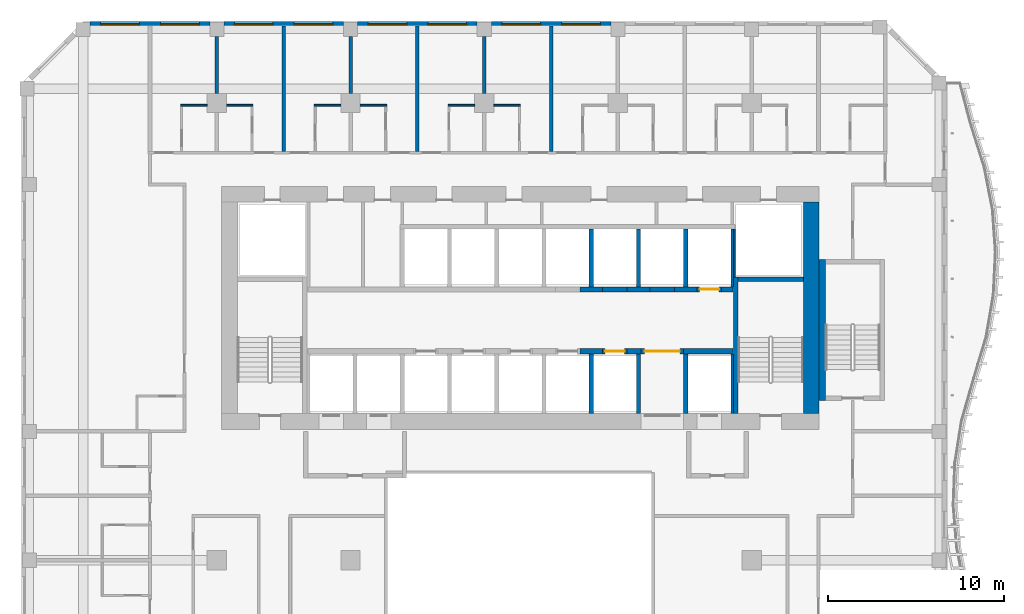
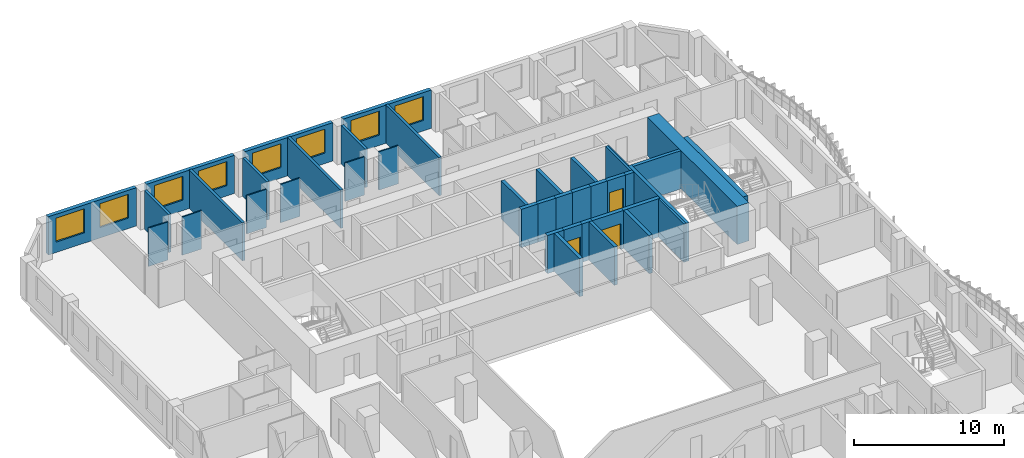
# One storey, part 9 of 22: 41 walls, 8 windows, 3 doors, 11 openings.
"""IFC4 building model written with IfcOpenShell, lengths in metres."""

from ifc_helpers import new_model, si_unit, direction, frame, frame_2d, origin, place, context, subcontext, project, spatial, rectangle, extrude, source, transform, mapped, material, layer, layer_set, type_object, element, fill, save


model = new_model("IFC4")

# Units and contexts
model_context = context("Model", 3, precision=1e-05, world=origin(), true_north=direction((0.0, 1.0)))
body_context = subcontext(model_context, "Body", "Model", "MODEL_VIEW")
ifc_project = project(units=[si_unit("LENGTHUNIT", "METRE"), si_unit("AREAUNIT", "SQUARE_METRE"), si_unit("VOLUMEUNIT", "CUBIC_METRE"), si_unit("PLANEANGLEUNIT", "RADIAN"), si_unit("MASSUNIT", "GRAM", prefix="KILO")], contexts=[model_context])

# Site, building, storey
site_placement = place(None, origin())
site = spatial("IfcSite", under=ifc_project, at=site_placement, CompositionType="ELEMENT")
building_placement = place(site_placement, origin())
building = spatial("IfcBuilding", under=site, at=building_placement, Name="Kilnfold Tower and Market Hall", CompositionType="ELEMENT")
storey_placement = place(building_placement, frame((0.0, 0.0, 143.89990234375)))
storey = spatial("IfcBuildingStorey", under=building, at=storey_placement, Name="L32", CompositionType="ELEMENT", Elevation=143.89990234375)

# Walls
ifc_material_1 = material(Name="Gypsum board on steel studs", Category="steel")
ifc_layer_1 = layer(ifc_material_1, 0.10009765625)
ifc_layer_set_1 = layer_set([ifc_layer_1], Name="Gypsum board on steel studs")
wall_type_1 = type_object("IfcWallType", Name="WALL PARTITION 100", PredefinedType="PARTITIONING", material=ifc_layer_set_1)
for number, where, z_axis, x_axis, name in (
    (1, (-18.217041015625, 26.501953125, 0.0), (0.0, 0.0, 1.0), (1.0, 0.0, 0.0), "Partition LY21.83"),
    (2, (-15.616943359375, 26.501953125, 0.0), (0.0, 0.0, 1.0), (1.0, 0.0, 0.0), "Partition LY21.87"),
    (3, (-10.633056640625, 26.501953125, 0.0), (0.0, 0.0, 1.0), (1.0, 0.0, 0.0), "Partition LY21.90"),
    (4, (-8.032958984375, 26.501953125, 0.0), (0.0, 0.0, 1.0), (1.0, 0.0, 0.0), "Partition LY21.94"),
    (5, (-3.050048828125, 26.501953125, 0.0), (0.0, 0.0, 1.0), (1.0, 0.0, 0.0), "Partition LY21.97"),
    (6, (-0.449951171875, 26.501953125, 0.0), (0.0, 0.0, 1.0), (1.0, 0.0, 0.0), "Partition LY21.101"),
):
    element("IfcWall", number, at=place(storey_placement, frame(where, z_axis=z_axis, x_axis=x_axis)), inside=storey, type_object=wall_type_1, Name=name, PredefinedType="PARTITIONING", context=body_context, shape_type="SweptSolid", body=[
        extrude(rectangle(XDim=1.5, YDim=0.10009765625, at=frame_2d((0.75, 0.0))), origin(), (0.0, 0.0, 1.0), 3.1201171875),
    ])
ifc_material_2 = material(Name="Gypsum board on steel studs", Category="steel")
ifc_layer_2 = layer(ifc_material_2, 0.199951171875)
ifc_layer_set_2 = layer_set([ifc_layer_2], Name="Gypsum board on steel studs")
wall_type_2 = type_object("IfcWallType", Name="WALL PARTY 200", PredefinedType="PARTITIONING", material=ifc_layer_set_2)
wall_1_placement = place(storey_placement, frame((-16.1669921875, 27.175048828125, 0.0), z_axis=(0.0, 0.0, 1.0), x_axis=(0.0, 1.0, 0.0)))
element("IfcWall", 7, at=wall_1_placement, inside=storey, type_object=wall_type_2, Name="Partition LY21.85", PredefinedType="PARTITIONING", context=body_context, shape_type="SweptSolid", body=[
    extrude(rectangle(XDim=3.224853515625, YDim=0.199951171875, at=frame_2d((1.6123046875, 0.0))), origin(), (0.0, 0.0, 1.0), 3.1201171875),
])
wall_2_placement = place(storey_placement, frame((-12.375, 23.876953125, 0.0), z_axis=(0.0, 0.0, 1.0), x_axis=(0.0, 1.0, 0.0)))
element("IfcWall", 8, at=wall_2_placement, inside=storey, type_object=wall_type_2, Name="Partition LY21.89", PredefinedType="PARTITIONING", context=body_context, shape_type="SweptSolid", body=[
    extrude(rectangle(XDim=7.123046875, YDim=0.199951171875, at=frame_2d((3.5615234375, 0.0))), origin(), (0.0, 0.0, 1.0), 3.1201171875),
])
wall_3_placement = place(storey_placement, frame((-8.5830078125, 27.175048828125, 0.0), z_axis=(0.0, 0.0, 1.0), x_axis=(0.0, 1.0, 0.0)))
element("IfcWall", 9, at=wall_3_placement, inside=storey, type_object=wall_type_2, Name="Partition LY21.92", PredefinedType="PARTITIONING", context=body_context, shape_type="SweptSolid", body=[
    extrude(rectangle(XDim=3.224853515625, YDim=0.199951171875, at=frame_2d((1.6123046875, 0.0))), origin(), (0.0, 0.0, 1.0), 3.1201171875),
])
wall_4_placement = place(storey_placement, frame((-4.7919921875, 23.876953125, 0.0), z_axis=(0.0, 0.0, 1.0), x_axis=(0.0, 1.0, 0.0)))
element("IfcWall", 10, at=wall_4_placement, inside=storey, type_object=wall_type_2, Name="Partition LY21.96", PredefinedType="PARTITIONING", context=body_context, shape_type="SweptSolid", body=[
    extrude(rectangle(XDim=7.123046875, YDim=0.199951171875, at=frame_2d((3.5615234375, 0.0))), origin(), (0.0, 0.0, 1.0), 3.1201171875),
])
wall_5_placement = place(storey_placement, frame((-1.0, 27.175048828125, 0.0), z_axis=(0.0, 0.0, 1.0), x_axis=(0.0, 1.0, 0.0)))
element("IfcWall", 11, at=wall_5_placement, inside=storey, type_object=wall_type_2, Name="Partition LY21.99", PredefinedType="PARTITIONING", context=body_context, shape_type="SweptSolid", body=[
    extrude(rectangle(XDim=3.224853515625, YDim=0.199951171875, at=frame_2d((1.6123046875, 0.0))), origin(), (0.0, 0.0, 1.0), 3.1201171875),
])
wall_6_placement = place(storey_placement, frame((2.7919921875, 23.876953125, 0.0), z_axis=(0.0, 0.0, 1.0), x_axis=(0.0, 1.0, 0.0)))
element("IfcWall", 12, at=wall_6_placement, inside=storey, type_object=wall_type_2, Name="Partition LY21.103", PredefinedType="PARTITIONING", context=body_context, shape_type="SweptSolid", body=[
    extrude(rectangle(XDim=7.123046875, YDim=0.199951171875, at=frame_2d((3.5615234375, 0.0))), origin(), (0.0, 0.0, 1.0), 3.1201171875),
])
ifc_material_3 = material(Name="Concrete C70", Category="concrete")
ifc_layer_3 = layer(ifc_material_3, 0.89990234375)
ifc_layer_set_3 = layer_set([ifc_layer_3], Name="Concrete C70")
wall_type_3 = type_object("IfcWallType", Name="CORE WALL 900 C70", PredefinedType="SHEAR", material=ifc_layer_set_3)
shared_shape_1 = source(origin(), body_context, "Body", "SweptSolid", [
    extrude(rectangle(XDim=12.0, YDim=0.89990234375, at=frame_2d((6.0, 0.0))), origin(), (0.0, 0.0, 1.0), 3.1201171875),
])
wall_7_placement = place(storey_placement, frame((17.550048828125, 9.0, 0.0), z_axis=(0.0, 0.0, 1.0), x_axis=(0.0, 1.0, 0.0)))
element("IfcWall", 13, at=wall_7_placement, inside=storey, type_object=wall_type_3, Name="Core outer wall east", PredefinedType="SHEAR", context=body_context, shape_type="MappedRepresentation", body=[
    mapped(shared_shape_1, transform((0.0, 0.0, 0.0))),
])
ifc_material_4 = material(Name="Concrete C70", Category="concrete")
ifc_layer_4 = layer(ifc_material_4, 0.25)
ifc_layer_set_4 = layer_set([ifc_layer_4], Name="Concrete C70")
wall_type_4 = type_object("IfcWallType", Name="CORE WALL 250 C70", PredefinedType="SHEAR", material=ifc_layer_set_4)
shared_shape_2 = source(origin(), body_context, "Body", "SweptSolid", [
    extrude(rectangle(XDim=7.75, YDim=0.25, at=frame_2d((3.875, 0.0))), origin(), (0.0, 0.0, 1.0), 3.1201171875),
])
wall_8_placement = place(storey_placement, frame((13.27490234375, 9.0, 0.0), z_axis=(0.0, 0.0, 1.0), x_axis=(0.0, 1.0, 0.0)))
element("IfcWall", 14, at=wall_8_placement, inside=storey, type_object=wall_type_4, Name="Stair enclosure ST2", PredefinedType="SHEAR", context=body_context, shape_type="MappedRepresentation", body=[
    mapped(shared_shape_2, transform((0.0, 0.0, 0.0))),
])
shared_shape_3 = source(origin(), body_context, "Body", "SweptSolid", [
    extrude(rectangle(XDim=3.7001953125, YDim=0.25, at=frame_2d((1.85009765625, 0.0))), origin(), (0.0, 0.0, 1.0), 3.1201171875),
])
wall_9_placement = place(storey_placement, frame((13.39990234375, 16.625, 0.0), z_axis=(0.0, 0.0, 1.0), x_axis=(1.0, 0.0, 0.0)))
element("IfcWall", 15, at=wall_9_placement, inside=storey, type_object=wall_type_4, Name="Stair enclosure ST2", PredefinedType="SHEAR", context=body_context, shape_type="MappedRepresentation", body=[
    mapped(shared_shape_3, transform((0.0, 0.0, 0.0))),
])
ifc_material_5 = material(Name="Concrete C70", Category="concrete")
ifc_layer_5 = layer(ifc_material_5, 0.35009765625)
ifc_layer_set_5 = layer_set([ifc_layer_5], Name="Concrete C70")
wall_type_5 = type_object("IfcWallType", Name="CORE WALL 350 C70", PredefinedType="SHEAR", material=ifc_layer_set_5)
shared_shape_4 = source(origin(), body_context, "Body", "SweptSolid", [
    extrude(rectangle(XDim=8.0, YDim=0.35009765625, at=frame_2d((4.0, 0.0))), origin(), (0.0, 0.0, 1.0), 3.1201171875),
])
wall_10_placement = place(storey_placement, frame((18.175048828125, 9.75, 0.0), z_axis=(0.0, 0.0, 1.0), x_axis=(0.0, 1.0, 0.0)))
element("IfcWall", 16, at=wall_10_placement, inside=storey, type_object=wall_type_5, Name="Stair enclosure ST5", PredefinedType="SHEAR", context=body_context, shape_type="MappedRepresentation", body=[
    mapped(shared_shape_4, transform((0.0, 0.0, 0.0))),
])
ifc_material_6 = material(Name="Concrete C70", Category="concrete")
ifc_layer_6 = layer(ifc_material_6, 0.300048828125)
ifc_layer_set_6 = layer_set([ifc_layer_6], Name="Concrete C70")
wall_type_6 = type_object("IfcWallType", Name="CORE WALL 300 C70", PredefinedType="SHEAR", material=ifc_layer_set_6)
shared_shape_5 = source(origin(), body_context, "Body", "SweptSolid", [
    extrude(rectangle(XDim=1.280029296875, YDim=0.300048828125, at=frame_2d((0.64013671875, 0.0))), origin(), (0.0, 0.0, 1.0), 3.1201171875),
])
for number, where, z_axis, x_axis, name in (
    (17, (4.429931640625, 12.550048828125, 0.0), (0.0, 0.0, 1.0), (1.0, 0.0, 0.0), "Core spine wall"),
    (18, (4.429931640625, 16.050048828125, 0.0), (0.0, 0.0, 1.0), (1.0, 0.0, 0.0), "Core spine wall"),
    (19, (9.7900390625, 16.050048828125, 0.0), (0.0, 0.0, 1.0), (1.0, 0.0, 0.0), "Core spine wall"),
):
    element("IfcWall", number, at=place(storey_placement, frame(where, z_axis=z_axis, x_axis=x_axis)), inside=storey, type_object=wall_type_6, Name=name, PredefinedType="SHEAR", context=body_context, shape_type="MappedRepresentation", body=[
        mapped(shared_shape_5, transform((0.0, 0.0, 0.0))),
    ])
shared_shape_6 = source(origin(), body_context, "Body", "SweptSolid", [
    extrude(rectangle(XDim=0.77978515625, YDim=0.300048828125, at=frame_2d((0.389892578125, 0.0))), origin(), (0.0, 0.0, 1.0), 3.1201171875),
])
wall_11_placement = place(storey_placement, frame((7.110107421875, 12.550048828125, 0.0), z_axis=(0.0, 0.0, 1.0), x_axis=(1.0, 0.0, 0.0)))
element("IfcWall", 20, at=wall_11_placement, inside=storey, type_object=wall_type_6, Name="Core spine wall", PredefinedType="SHEAR", context=body_context, shape_type="MappedRepresentation", body=[
    mapped(shared_shape_6, transform((0.0, 0.0, 0.0))),
])
shared_shape_7 = source(origin(), body_context, "Body", "SweptSolid", [
    extrude(rectangle(XDim=2.820068359375, YDim=0.300048828125, at=frame_2d((1.41015625, 0.0))), origin(), (0.0, 0.0, 1.0), 3.1201171875),
])
wall_12_placement = place(storey_placement, frame((10.2900390625, 12.550048828125, 0.0), z_axis=(0.0, 0.0, 1.0), x_axis=(1.0, 0.0, 0.0)))
element("IfcWall", 21, at=wall_12_placement, inside=storey, type_object=wall_type_6, Name="Core spine wall", PredefinedType="SHEAR", context=body_context, shape_type="MappedRepresentation", body=[
    mapped(shared_shape_7, transform((0.0, 0.0, 0.0))),
])
shared_shape_8 = source(origin(), body_context, "Body", "SweptSolid", [
    extrude(rectangle(XDim=1.27978515625, YDim=0.300048828125, at=frame_2d((0.639892578125, 0.0))), origin(), (0.0, 0.0, 1.0), 3.1201171875),
])
wall_13_placement = place(storey_placement, frame((7.110107421875, 16.050048828125, 0.0), z_axis=(0.0, 0.0, 1.0), x_axis=(1.0, 0.0, 0.0)))
element("IfcWall", 22, at=wall_13_placement, inside=storey, type_object=wall_type_6, Name="Core spine wall", PredefinedType="SHEAR", context=body_context, shape_type="MappedRepresentation", body=[
    mapped(shared_shape_8, transform((0.0, 0.0, 0.0))),
])
shared_shape_9 = source(origin(), body_context, "Body", "SweptSolid", [
    extrude(rectangle(XDim=0.64013671875, YDim=0.300048828125, at=frame_2d((0.320068359375, 0.0))), origin(), (0.0, 0.0, 1.0), 3.1201171875),
])
wall_14_placement = place(storey_placement, frame((12.469970703125, 16.050048828125, 0.0), z_axis=(0.0, 0.0, 1.0), x_axis=(1.0, 0.0, 0.0)))
element("IfcWall", 23, at=wall_14_placement, inside=storey, type_object=wall_type_6, Name="Core spine wall", PredefinedType="SHEAR", context=body_context, shape_type="MappedRepresentation", body=[
    mapped(shared_shape_9, transform((0.0, 0.0, 0.0))),
])

# Wall, openings, windows
ifc_material_7 = material(Name="Precast concrete C50/60", Category="concrete")
ifc_layer_7 = layer(ifc_material_7, 0.300048828125)
ifc_layer_set_7 = layer_set([ifc_layer_7], Name="Precast concrete C50/60")
wall_type_7 = type_object("IfcWallType", Name="PRECAST WALL 300", PredefinedType="SOLIDWALL", material=ifc_layer_set_7)
shared_shape_10 = source(origin(), body_context, "Body", "SweptSolid", [
    extrude(rectangle(XDim=6.783447265625, YDim=0.300048828125, at=frame_2d((3.3916015625, 0.0))), origin(), (0.0, 0.0, 1.0), 3.1201171875),
])
wall_15_placement = place(storey_placement, frame((6.183349609375, 31.10009765625, 0.0), z_axis=(0.0, 0.0, 1.0), x_axis=(-1.0, 0.0, 0.0)))
wall_15 = element("IfcWall", 24, at=wall_15_placement, inside=storey, type_object=wall_type_7, Name="External wall L32 N", PredefinedType="SOLIDWALL", context=body_context, shape_type="MappedRepresentation", body=[
    mapped(shared_shape_10, transform((0.0, 0.0, 0.0))),
])
opening_1_placement = place(wall_15_placement, frame((0.595703125, 0.0, 0.85009765625)))
opening_1 = element("IfcOpeningElement", 25, at=opening_1_placement, cuts=wall_15, Name="Opening W2", PredefinedType="OPENING", context=body_context, shape_type="SweptSolid", body=[
    extrude(rectangle(XDim=2.199951171875, YDim=1.949951171875, at=frame_2d((1.10009765625, 0.97509765625))), frame((0.0, 0.16015625, 0.0), z_axis=(0.0, -1.0, 0.0), x_axis=(1.0, 0.0, 0.0)), (0.0, 0.0, 1.0), 0.320068359375),
])
opening_2_placement = place(wall_15_placement, frame((3.987548828125, 0.0, 0.85009765625)))
opening_2 = element("IfcOpeningElement", 26, at=opening_2_placement, cuts=wall_15, Name="Opening W2", PredefinedType="OPENING", context=body_context, shape_type="SweptSolid", body=[
    extrude(rectangle(XDim=2.199951171875, YDim=1.949951171875, at=frame_2d((1.10009765625, 0.97509765625))), frame((0.0, 0.16015625, 0.0), z_axis=(0.0, -1.0, 0.0), x_axis=(1.0, 0.0, 0.0)), (0.0, 0.0, 1.0), 0.320068359375),
])
ifc_material_8 = material(Name="Aluminium frame and double glazing", Category="aluminium")
window_type = type_object("IfcWindowType", Name="WINDOW W2 2200X1950", PartitioningType="SINGLE_PANEL", PredefinedType="WINDOW", material=ifc_material_8)
window_1_placement = place(opening_1_placement, origin())
window_1 = element("IfcWindow", 27, at=window_1_placement, inside=storey, type_object=window_type, Name="Window W2 L32 N-1", OverallHeight=1.949951171875, OverallWidth=2.199951171875, PartitioningType="SINGLE_PANEL", PredefinedType="WINDOW", context=body_context, shape_type="SweptSolid", body=[
    extrude(rectangle(XDim=2.199951171875, YDim=1.949951171875, at=frame_2d((1.10009765625, 0.97509765625))), frame((0.0, 0.030029296875, 0.0), z_axis=(0.0, -1.0, 0.0), x_axis=(1.0, 0.0, 0.0)), (0.0, 0.0, 1.0), 0.06005859375),
])
fill(opening_1, window_1)
window_2_placement = place(opening_2_placement, origin())
window_2 = element("IfcWindow", 28, at=window_2_placement, inside=storey, type_object=window_type, Name="Window W2 L32 N-2", OverallHeight=1.949951171875, OverallWidth=2.199951171875, PartitioningType="SINGLE_PANEL", PredefinedType="WINDOW", context=body_context, shape_type="SweptSolid", body=[
    extrude(rectangle(XDim=2.199951171875, YDim=1.949951171875, at=frame_2d((1.10009765625, 0.97509765625))), frame((0.0, 0.030029296875, 0.0), z_axis=(0.0, -1.0, 0.0), x_axis=(1.0, 0.0, 0.0)), (0.0, 0.0, 1.0), 0.06005859375),
])
fill(opening_2, window_2)

wall_16_placement = place(storey_placement, frame((-1.39990234375, 31.10009765625, 0.0), z_axis=(0.0, 0.0, 1.0), x_axis=(-1.0, 0.0, 0.0)))
wall_16 = element("IfcWall", 29, at=wall_16_placement, inside=storey, type_object=wall_type_7, Name="External wall L32 N", PredefinedType="SOLIDWALL", context=body_context, shape_type="MappedRepresentation", body=[
    mapped(shared_shape_10, transform((0.0, 0.0, 0.0))),
])
opening_3_placement = place(wall_16_placement, frame((0.595703125, 0.0, 0.85009765625)))
opening_3 = element("IfcOpeningElement", 30, at=opening_3_placement, cuts=wall_16, Name="Opening W2", PredefinedType="OPENING", context=body_context, shape_type="SweptSolid", body=[
    extrude(rectangle(XDim=2.199951171875, YDim=1.949951171875, at=frame_2d((1.10009765625, 0.97509765625))), frame((0.0, 0.16015625, 0.0), z_axis=(0.0, -1.0, 0.0), x_axis=(1.0, 0.0, 0.0)), (0.0, 0.0, 1.0), 0.320068359375),
])
opening_4_placement = place(wall_16_placement, frame((3.987548828125, 0.0, 0.85009765625)))
opening_4 = element("IfcOpeningElement", 31, at=opening_4_placement, cuts=wall_16, Name="Opening W2", PredefinedType="OPENING", context=body_context, shape_type="SweptSolid", body=[
    extrude(rectangle(XDim=2.199951171875, YDim=1.949951171875, at=frame_2d((1.10009765625, 0.97509765625))), frame((0.0, 0.16015625, 0.0), z_axis=(0.0, -1.0, 0.0), x_axis=(1.0, 0.0, 0.0)), (0.0, 0.0, 1.0), 0.320068359375),
])
window_3_placement = place(opening_3_placement, origin())
window_3 = element("IfcWindow", 32, at=window_3_placement, inside=storey, type_object=window_type, Name="Window W2 L32 N-1", OverallHeight=1.949951171875, OverallWidth=2.199951171875, PartitioningType="SINGLE_PANEL", PredefinedType="WINDOW", context=body_context, shape_type="SweptSolid", body=[
    extrude(rectangle(XDim=2.199951171875, YDim=1.949951171875, at=frame_2d((1.10009765625, 0.97509765625))), frame((0.0, 0.030029296875, 0.0), z_axis=(0.0, -1.0, 0.0), x_axis=(1.0, 0.0, 0.0)), (0.0, 0.0, 1.0), 0.06005859375),
])
fill(opening_3, window_3)
window_4_placement = place(opening_4_placement, origin())
window_4 = element("IfcWindow", 33, at=window_4_placement, inside=storey, type_object=window_type, Name="Window W2 L32 N-2", OverallHeight=1.949951171875, OverallWidth=2.199951171875, PartitioningType="SINGLE_PANEL", PredefinedType="WINDOW", context=body_context, shape_type="SweptSolid", body=[
    extrude(rectangle(XDim=2.199951171875, YDim=1.949951171875, at=frame_2d((1.10009765625, 0.97509765625))), frame((0.0, 0.030029296875, 0.0), z_axis=(0.0, -1.0, 0.0), x_axis=(1.0, 0.0, 0.0)), (0.0, 0.0, 1.0), 0.06005859375),
])
fill(opening_4, window_4)

wall_17_placement = place(storey_placement, frame((-16.566650390625, 31.10009765625, 0.0), z_axis=(0.0, 0.0, 1.0), x_axis=(-1.0, 0.0, 0.0)))
wall_17 = element("IfcWall", 34, at=wall_17_placement, inside=storey, type_object=wall_type_7, Name="External wall L32 N", PredefinedType="SOLIDWALL", context=body_context, shape_type="MappedRepresentation", body=[
    mapped(shared_shape_10, transform((0.0, 0.0, 0.0))),
])
opening_5_placement = place(wall_17_placement, frame((0.595703125, 0.0, 0.85009765625)))
opening_5 = element("IfcOpeningElement", 35, at=opening_5_placement, cuts=wall_17, Name="Opening W2", PredefinedType="OPENING", context=body_context, shape_type="SweptSolid", body=[
    extrude(rectangle(XDim=2.199951171875, YDim=1.949951171875, at=frame_2d((1.10009765625, 0.97509765625))), frame((0.0, 0.16015625, 0.0), z_axis=(0.0, -1.0, 0.0), x_axis=(1.0, 0.0, 0.0)), (0.0, 0.0, 1.0), 0.320068359375),
])
opening_6_placement = place(wall_17_placement, frame((3.987548828125, 0.0, 0.85009765625)))
opening_6 = element("IfcOpeningElement", 36, at=opening_6_placement, cuts=wall_17, Name="Opening W2", PredefinedType="OPENING", context=body_context, shape_type="SweptSolid", body=[
    extrude(rectangle(XDim=2.199951171875, YDim=1.949951171875, at=frame_2d((1.10009765625, 0.97509765625))), frame((0.0, 0.16015625, 0.0), z_axis=(0.0, -1.0, 0.0), x_axis=(1.0, 0.0, 0.0)), (0.0, 0.0, 1.0), 0.320068359375),
])
window_5_placement = place(opening_5_placement, origin())
window_5 = element("IfcWindow", 37, at=window_5_placement, inside=storey, type_object=window_type, Name="Window W2 L32 N-1", OverallHeight=1.949951171875, OverallWidth=2.199951171875, PartitioningType="SINGLE_PANEL", PredefinedType="WINDOW", context=body_context, shape_type="SweptSolid", body=[
    extrude(rectangle(XDim=2.199951171875, YDim=1.949951171875, at=frame_2d((1.10009765625, 0.97509765625))), frame((0.0, 0.030029296875, 0.0), z_axis=(0.0, -1.0, 0.0), x_axis=(1.0, 0.0, 0.0)), (0.0, 0.0, 1.0), 0.06005859375),
])
fill(opening_5, window_5)
window_6_placement = place(opening_6_placement, origin())
window_6 = element("IfcWindow", 38, at=window_6_placement, inside=storey, type_object=window_type, Name="Window W2 L32 N-2", OverallHeight=1.949951171875, OverallWidth=2.199951171875, PartitioningType="SINGLE_PANEL", PredefinedType="WINDOW", context=body_context, shape_type="SweptSolid", body=[
    extrude(rectangle(XDim=2.199951171875, YDim=1.949951171875, at=frame_2d((1.10009765625, 0.97509765625))), frame((0.0, 0.030029296875, 0.0), z_axis=(0.0, -1.0, 0.0), x_axis=(1.0, 0.0, 0.0)), (0.0, 0.0, 1.0), 0.06005859375),
])
fill(opening_6, window_6)

shared_shape_11 = source(origin(), body_context, "Body", "SweptSolid", [
    extrude(rectangle(XDim=6.783203125, YDim=0.300048828125, at=frame_2d((3.3916015625, 0.0))), origin(), (0.0, 0.0, 1.0), 3.1201171875),
])
wall_18_placement = place(storey_placement, frame((-8.9833984375, 31.10009765625, 0.0), z_axis=(0.0, 0.0, 1.0), x_axis=(-1.0, 0.0, 0.0)))
wall_18 = element("IfcWall", 39, at=wall_18_placement, inside=storey, type_object=wall_type_7, Name="External wall L32 N", PredefinedType="SOLIDWALL", context=body_context, shape_type="MappedRepresentation", body=[
    mapped(shared_shape_11, transform((0.0, 0.0, 0.0))),
])
opening_7_placement = place(wall_18_placement, frame((0.595703125, 0.0, 0.85009765625)))
opening_7 = element("IfcOpeningElement", 40, at=opening_7_placement, cuts=wall_18, Name="Opening W2", PredefinedType="OPENING", context=body_context, shape_type="SweptSolid", body=[
    extrude(rectangle(XDim=2.199951171875, YDim=1.949951171875, at=frame_2d((1.10009765625, 0.97509765625))), frame((0.0, 0.16015625, 0.0), z_axis=(0.0, -1.0, 0.0), x_axis=(1.0, 0.0, 0.0)), (0.0, 0.0, 1.0), 0.320068359375),
])
opening_8_placement = place(wall_18_placement, frame((3.987548828125, 0.0, 0.85009765625)))
opening_8 = element("IfcOpeningElement", 41, at=opening_8_placement, cuts=wall_18, Name="Opening W2", PredefinedType="OPENING", context=body_context, shape_type="SweptSolid", body=[
    extrude(rectangle(XDim=2.199951171875, YDim=1.949951171875, at=frame_2d((1.10009765625, 0.97509765625))), frame((0.0, 0.16015625, 0.0), z_axis=(0.0, -1.0, 0.0), x_axis=(1.0, 0.0, 0.0)), (0.0, 0.0, 1.0), 0.320068359375),
])
window_7_placement = place(opening_7_placement, origin())
window_7 = element("IfcWindow", 42, at=window_7_placement, inside=storey, type_object=window_type, Name="Window W2 L32 N-1", OverallHeight=1.949951171875, OverallWidth=2.199951171875, PartitioningType="SINGLE_PANEL", PredefinedType="WINDOW", context=body_context, shape_type="SweptSolid", body=[
    extrude(rectangle(XDim=2.199951171875, YDim=1.949951171875, at=frame_2d((1.10009765625, 0.97509765625))), frame((0.0, 0.030029296875, 0.0), z_axis=(0.0, -1.0, 0.0), x_axis=(1.0, 0.0, 0.0)), (0.0, 0.0, 1.0), 0.06005859375),
])
fill(opening_7, window_7)
window_8_placement = place(opening_8_placement, origin())
window_8 = element("IfcWindow", 43, at=window_8_placement, inside=storey, type_object=window_type, Name="Window W2 L32 N-2", OverallHeight=1.949951171875, OverallWidth=2.199951171875, PartitioningType="SINGLE_PANEL", PredefinedType="WINDOW", context=body_context, shape_type="SweptSolid", body=[
    extrude(rectangle(XDim=2.199951171875, YDim=1.949951171875, at=frame_2d((1.10009765625, 0.97509765625))), frame((0.0, 0.030029296875, 0.0), z_axis=(0.0, -1.0, 0.0), x_axis=(1.0, 0.0, 0.0)), (0.0, 0.0, 1.0), 0.06005859375),
])
fill(opening_8, window_8)

# Wall, opening, door
ifc_material_9 = material(Name="Gypsum shaft wall system")
ifc_layer_8 = layer(ifc_material_9, 0.300048828125)
ifc_layer_set_8 = layer_set([ifc_layer_8], Name="Gypsum shaft wall system")
wall_type_8 = type_object("IfcWallType", Name="SHAFT WALL 300", PredefinedType="PARTITIONING", material=ifc_layer_set_8)
shared_shape_12 = source(origin(), body_context, "Body", "SweptSolid", [
    extrude(rectangle(XDim=1.39990234375, YDim=0.300048828125, at=frame_2d((0.699951171875, 0.0))), origin(), (0.0, 0.0, 1.0), 3.1201171875),
])
wall_19_placement = place(storey_placement, frame((11.070068359375, 16.050048828125, 0.0), z_axis=(0.0, 0.0, 1.0), x_axis=(1.0, 0.0, 0.0)))
wall_19 = element("IfcWall", 44, at=wall_19_placement, inside=storey, type_object=wall_type_8, Name="Lift shaft front wall", PredefinedType="PARTITIONING", context=body_context, shape_type="MappedRepresentation", body=[
    mapped(shared_shape_12, transform((0.0, 0.0, 0.0))),
])
opening_9_placement = place(wall_19_placement, frame((0.14990234375, 0.0, 0.0)))
opening_9 = element("IfcOpeningElement", 45, at=opening_9_placement, cuts=wall_19, Name="Opening LD2", PredefinedType="OPENING", context=body_context, shape_type="SweptSolid", body=[
    extrude(rectangle(XDim=1.10009765625, YDim=2.10009765625, at=frame_2d((0.550048828125, 1.050048828125))), frame((0.0, 0.16015625, 0.0), z_axis=(0.0, -1.0, 0.0), x_axis=(1.0, 0.0, 0.0)), (0.0, 0.0, 1.0), 0.320068359375),
])
ifc_material_10 = material(Name="Steel door set with fire-resisting leaf", Category="steel")
door_type_1 = type_object("IfcDoorType", Name="LANDING DOOR 1100X2100", OperationType="NOTDEFINED", PredefinedType="DOOR", material=ifc_material_10)
door_1_placement = place(opening_9_placement, origin())
door_1 = element("IfcDoor", 46, at=door_1_placement, inside=storey, type_object=door_type_1, Name="Landing door MR6", OperationType="DOUBLE_DOOR_SLIDING", OverallHeight=2.10009765625, OverallWidth=1.10009765625, PredefinedType="DOOR", context=body_context, shape_type="SweptSolid", body=[
    extrude(rectangle(XDim=1.10009765625, YDim=2.10009765625, at=frame_2d((0.550048828125, 1.050048828125))), frame((0.0, 0.02490234375, 0.0), z_axis=(0.0, -1.0, 0.0), x_axis=(1.0, 0.0, 0.0)), (0.0, 0.0, 1.0), 0.050048828125),
])
fill(opening_9, door_1)

shared_shape_13 = source(origin(), body_context, "Body", "SweptSolid", [
    extrude(rectangle(XDim=1.400146484375, YDim=0.300048828125, at=frame_2d((0.7001953125, 0.0))), origin(), (0.0, 0.0, 1.0), 3.1201171875),
])
wall_20_placement = place(storey_placement, frame((5.7099609375, 12.550048828125, 0.0), z_axis=(0.0, 0.0, 1.0), x_axis=(1.0, 0.0, 0.0)))
wall_20 = element("IfcWall", 47, at=wall_20_placement, inside=storey, type_object=wall_type_8, Name="Lift shaft front wall", PredefinedType="PARTITIONING", context=body_context, shape_type="MappedRepresentation", body=[
    mapped(shared_shape_13, transform((0.0, 0.0, 0.0))),
])
opening_10_placement = place(wall_20_placement, frame((0.14990234375, 0.0, 0.0)))
opening_10 = element("IfcOpeningElement", 48, at=opening_10_placement, cuts=wall_20, Name="Opening LD2", PredefinedType="OPENING", context=body_context, shape_type="SweptSolid", body=[
    extrude(rectangle(XDim=1.10009765625, YDim=2.10009765625, at=frame_2d((0.550048828125, 1.050048828125))), frame((0.0, 0.16015625, 0.0), z_axis=(0.0, -1.0, 0.0), x_axis=(1.0, 0.0, 0.0)), (0.0, 0.0, 1.0), 0.320068359375),
])
door_2_placement = place(opening_10_placement, origin())
door_2 = element("IfcDoor", 49, at=door_2_placement, inside=storey, type_object=door_type_1, Name="Landing door MR5", OperationType="DOUBLE_DOOR_SLIDING", OverallHeight=2.10009765625, OverallWidth=1.10009765625, PredefinedType="DOOR", context=body_context, shape_type="SweptSolid", body=[
    extrude(rectangle(XDim=1.10009765625, YDim=2.10009765625, at=frame_2d((0.550048828125, 1.050048828125))), frame((0.0, 0.02490234375, 0.0), z_axis=(0.0, -1.0, 0.0), x_axis=(1.0, 0.0, 0.0)), (0.0, 0.0, 1.0), 0.050048828125),
])
fill(opening_10, door_2)

# Walls
for number, where, z_axis, x_axis, name in (
    (50, (5.7099609375, 16.050048828125, 0.0), (0.0, 0.0, 1.0), (1.0, 0.0, 0.0), "Lift shaft front wall"),
    (51, (8.389892578125, 16.050048828125, 0.0), (0.0, 0.0, 1.0), (1.0, 0.0, 0.0), "Lift shaft front wall"),
):
    element("IfcWall", number, at=place(storey_placement, frame(where, z_axis=z_axis, x_axis=x_axis)), inside=storey, type_object=wall_type_8, Name=name, PredefinedType="PARTITIONING", context=body_context, shape_type="MappedRepresentation", body=[
        mapped(shared_shape_13, transform((0.0, 0.0, 0.0))),
    ])

# Wall, opening, door
shared_shape_14 = source(origin(), body_context, "Body", "SweptSolid", [
    extrude(rectangle(XDim=2.400146484375, YDim=0.300048828125, at=frame_2d((1.2001953125, 0.0))), origin(), (0.0, 0.0, 1.0), 3.1201171875),
])
wall_21_placement = place(storey_placement, frame((7.889892578125, 12.550048828125, 0.0), z_axis=(0.0, 0.0, 1.0), x_axis=(1.0, 0.0, 0.0)))
wall_21 = element("IfcWall", 52, at=wall_21_placement, inside=storey, type_object=wall_type_8, Name="Lift shaft front wall", PredefinedType="PARTITIONING", context=body_context, shape_type="MappedRepresentation", body=[
    mapped(shared_shape_14, transform((0.0, 0.0, 0.0))),
])
opening_11_placement = place(wall_21_placement, frame((0.199951171875, 0.0, 0.0)))
opening_11 = element("IfcOpeningElement", 53, at=opening_11_placement, cuts=wall_21, Name="Opening VD2", PredefinedType="OPENING", context=body_context, shape_type="SweptSolid", body=[
    extrude(rectangle(XDim=2.0, YDim=2.10009765625, at=frame_2d((1.0, 1.050048828125))), frame((0.0, 0.16015625, 0.0), z_axis=(0.0, -1.0, 0.0), x_axis=(1.0, 0.0, 0.0)), (0.0, 0.0, 1.0), 0.320068359375),
])
ifc_material_11 = material(Name="Steel door set with fire-resisting leaf", Category="steel")
door_type_2 = type_object("IfcDoorType", Name="LIFT LOBBY ENTRANCE DOOR 2000X2100", OperationType="NOTDEFINED", PredefinedType="DOOR", material=ifc_material_11)
door_3_placement = place(opening_11_placement, origin())
door_3 = element("IfcDoor", 54, at=door_3_placement, inside=storey, type_object=door_type_2, Name="Lift lobby entrance door", OperationType="DOUBLE_DOOR_SINGLE_SWING", OverallHeight=2.10009765625, OverallWidth=2.0, PredefinedType="DOOR", context=body_context, shape_type="SweptSolid", body=[
    extrude(rectangle(XDim=2.0, YDim=2.10009765625, at=frame_2d((1.0, 1.050048828125))), frame((0.0, 0.02490234375, 0.0), z_axis=(0.0, -1.0, 0.0), x_axis=(1.0, 0.0, 0.0)), (0.0, 0.0, 1.0), 0.050048828125),
])
fill(opening_11, door_3)

# Walls
ifc_material_12 = material(Name="Gypsum shaft wall system")
ifc_layer_9 = layer(ifc_material_12, 0.1650390625)
ifc_layer_set_9 = layer_set([ifc_layer_9], Name="Gypsum shaft wall system")
wall_type_9 = type_object("IfcWallType", Name="SHAFT WALL 165", PredefinedType="PARTITIONING", material=ifc_layer_set_9)
shared_shape_15 = source(origin(), body_context, "Body", "SweptSolid", [
    extrude(rectangle(XDim=3.275146484375, YDim=0.1650390625, at=frame_2d((1.6376953125, 0.0))), origin(), (0.0, 0.0, 1.0), 3.1201171875),
])
wall_22_placement = place(storey_placement, frame((13.0673828125, 16.199951171875, 0.0), z_axis=(0.0, 0.0, 1.0), x_axis=(0.0, 1.0, 0.0)))
element("IfcWall", 55, at=wall_22_placement, inside=storey, type_object=wall_type_9, Name="Lift shaft wall", PredefinedType="PARTITIONING", context=body_context, shape_type="MappedRepresentation", body=[
    mapped(shared_shape_15, transform((0.0, 0.0, 0.0))),
])
ifc_material_13 = material(Name="Gypsum shaft wall system")
ifc_layer_10 = layer(ifc_material_13, 0.25)
ifc_layer_set_10 = layer_set([ifc_layer_10], Name="Gypsum shaft wall system")
wall_type_10 = type_object("IfcWallType", Name="SHAFT WALL 250", PredefinedType="PARTITIONING", material=ifc_layer_set_10)
shared_shape_16 = source(origin(), body_context, "Body", "SweptSolid", [
    extrude(rectangle(XDim=3.275146484375, YDim=0.25, at=frame_2d((1.6376953125, 0.0))), origin(), (0.0, 0.0, 1.0), 3.1201171875),
])
for number, where, z_axis, x_axis, name in (
    (56, (10.429931640625, 16.199951171875, 0.0), (0.0, 0.0, 1.0), (0.0, 1.0, 0.0), "Lift shaft wall"),
    (57, (5.070068359375, 16.199951171875, 0.0), (0.0, 0.0, 1.0), (0.0, 1.0, 0.0), "Lift shaft wall"),
    (58, (7.75, 16.199951171875, 0.0), (0.0, 0.0, 1.0), (0.0, 1.0, 0.0), "Lift shaft wall"),
):
    element("IfcWall", number, at=place(storey_placement, frame(where, z_axis=z_axis, x_axis=x_axis)), inside=storey, type_object=wall_type_10, Name=name, PredefinedType="PARTITIONING", context=body_context, shape_type="MappedRepresentation", body=[
        mapped(shared_shape_16, transform((0.0, 0.0, 0.0))),
    ])
ifc_material_14 = material(Name="Gypsum shaft wall system")
ifc_layer_11 = layer(ifc_material_14, 0.0849609375)
ifc_layer_set_11 = layer_set([ifc_layer_11], Name="Gypsum shaft wall system")
wall_type_11 = type_object("IfcWallType", Name="SHAFT WALL 85", PredefinedType="PARTITIONING", material=ifc_layer_set_11)
shared_shape_17 = source(origin(), body_context, "Body", "SweptSolid", [
    extrude(rectangle(XDim=2.72509765625, YDim=0.0849609375, at=frame_2d((1.362548828125, 0.0))), origin(), (0.0, 0.0, 1.0), 3.1201171875),
])
wall_23_placement = place(storey_placement, frame((13.1923828125, 16.75, 0.0), z_axis=(0.0, 0.0, 1.0), x_axis=(0.0, 1.0, 0.0)))
element("IfcWall", 59, at=wall_23_placement, inside=storey, type_object=wall_type_11, Name="Lift shaft wall", PredefinedType="PARTITIONING", context=body_context, shape_type="MappedRepresentation", body=[
    mapped(shared_shape_17, transform((0.0, 0.0, 0.0))),
])
shared_shape_18 = source(origin(), body_context, "Body", "SweptSolid", [
    extrude(rectangle(XDim=3.39990234375, YDim=0.25, at=frame_2d((1.699951171875, 0.0))), origin(), (0.0, 0.0, 1.0), 3.1201171875),
])
for number, where, z_axis, x_axis, name in (
    (60, (10.429931640625, 9.0, 0.0), (0.0, 0.0, 1.0), (0.0, 1.0, 0.0), "Lift shaft wall"),
    (61, (5.070068359375, 9.0, 0.0), (0.0, 0.0, 1.0), (0.0, 1.0, 0.0), "Lift shaft wall"),
    (62, (7.75, 9.0, 0.0), (0.0, 0.0, 1.0), (0.0, 1.0, 0.0), "Lift shaft wall"),
):
    element("IfcWall", number, at=place(storey_placement, frame(where, z_axis=z_axis, x_axis=x_axis)), inside=storey, type_object=wall_type_10, Name=name, PredefinedType="PARTITIONING", context=body_context, shape_type="MappedRepresentation", body=[
        mapped(shared_shape_18, transform((0.0, 0.0, 0.0))),
    ])
shared_shape_19 = source(origin(), body_context, "Body", "SweptSolid", [
    extrude(rectangle(XDim=3.39990234375, YDim=0.1650390625, at=frame_2d((1.699951171875, 0.0))), origin(), (0.0, 0.0, 1.0), 3.1201171875),
])
wall_24_placement = place(storey_placement, frame((13.0673828125, 9.0, 0.0), z_axis=(0.0, 0.0, 1.0), x_axis=(0.0, 1.0, 0.0)))
element("IfcWall", 63, at=wall_24_placement, inside=storey, type_object=wall_type_9, Name="Lift shaft wall", PredefinedType="PARTITIONING", context=body_context, shape_type="MappedRepresentation", body=[
    mapped(shared_shape_19, transform((0.0, 0.0, 0.0))),
])

save(model, "model.ifc")
